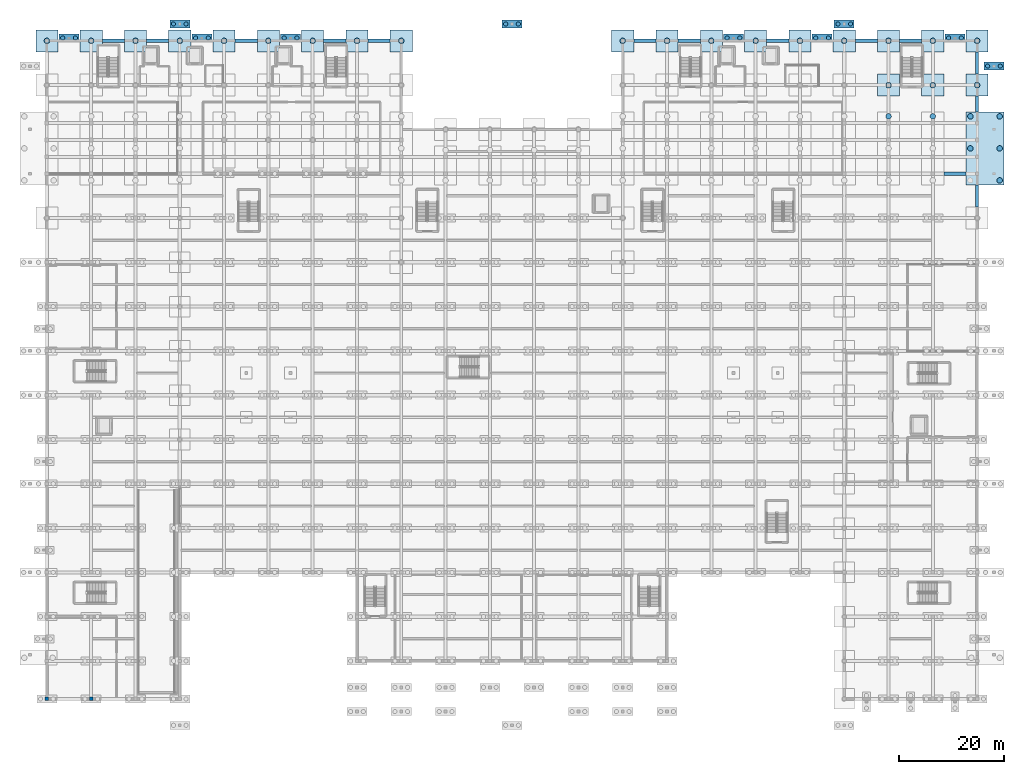
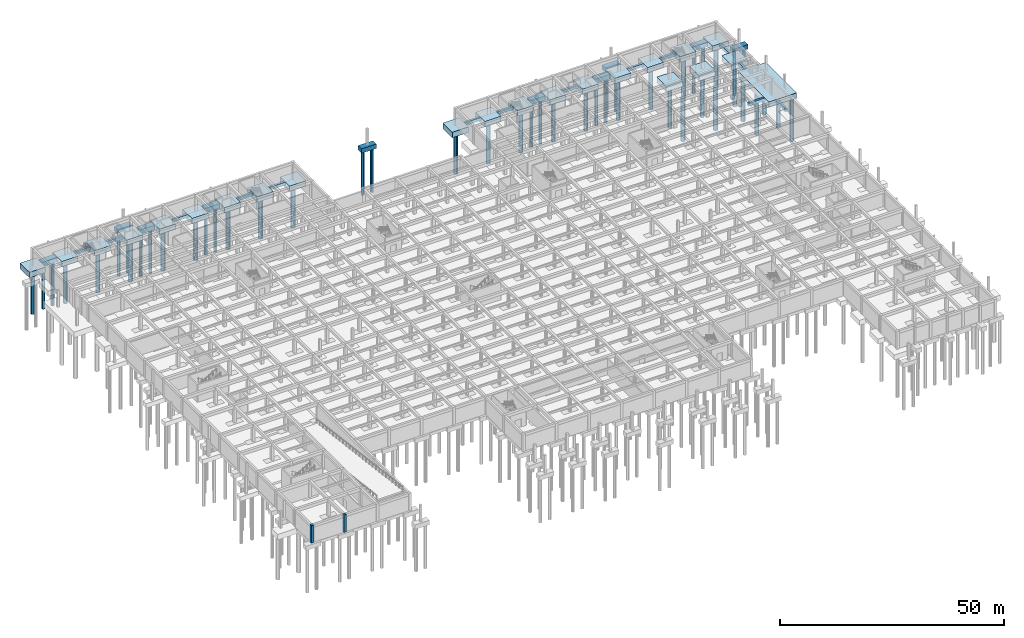
# One storey, part 7 of 51: 48 piles, 46 footings, 2 columns.
"""IFC4 building model written with IfcOpenShell, lengths in metres."""

from ifc_helpers import new_model, si_unit, direction, frame, origin, origin_2d, place, context, subcontext, project, spatial, rectangle, circle, extrude, material, material_profile, profile_set, type_object, element, save


model = new_model("IFC4")

# Units and contexts
model_context = context("Model", 3, precision=1e-05, world=origin(), true_north=direction((0.0, 1.0)))
body_context = subcontext(model_context, "Body", "Model", "MODEL_VIEW")
ifc_project = project(units=[si_unit("LENGTHUNIT", "METRE"), si_unit("AREAUNIT", "SQUARE_METRE"), si_unit("VOLUMEUNIT", "CUBIC_METRE"), si_unit("PLANEANGLEUNIT", "RADIAN"), si_unit("MASSUNIT", "GRAM", prefix="KILO")], contexts=[model_context])

# Site, building, storey
site_placement = place(None, origin())
site = spatial("IfcSite", under=ifc_project, at=site_placement, CompositionType="ELEMENT")
building_placement = place(site_placement, origin())
building = spatial("IfcBuilding", under=site, at=building_placement, Name="Varncliffe General Hospital", CompositionType="ELEMENT")
storey_placement = place(building_placement, frame((0.0, 0.0, -4.800048828125)))
storey = spatial("IfcBuildingStorey", under=building, at=storey_placement, Name="B1", CompositionType="ELEMENT", Elevation=-4.800048828125)

# Piles
ifc_material = material(Name="Concrete C40/50 (CSA A23.1 40 MPa)", Category="concrete")
ifc_material_profile_1 = material_profile(ifc_material, circle(Radius=0.39990234375, at=origin_2d()), Name="BORED PILE 800")
ifc_profile_set_1 = profile_set([ifc_material_profile_1], Name="Concrete C40/50 (CSA A23.1 40 MPa)")
pile_type_1 = type_object("IfcPileType", Name="Bored Caisson Pile P13 (BORED PILE 800)", PredefinedType="BORED", material=ifc_profile_set_1)
for number, where, z_axis, x_axis, name in (
    (1, (178.39990234375, 120.0, -1.050048828125), (0.0, 0.0, -1.0), (1.0, 0.0, 0.0), "B1 Bored Pile P13 (PC-B1-316-1)"),
    (2, (180.800048828125, 120.0, -1.050048828125), (0.0, 0.0, -1.0), (1.0, 0.0, 0.0), "B1 Bored Pile P13 (PC-B1-316-2)"),
    (3, (3.0, 125.35009765625, -1.050048828125), (0.0, 0.0, -1.0), (1.0, 0.0, 0.0), "B1 Bored Pile P13 (PC-B1-335-1)"),
    (4, (5.39990234375, 125.35009765625, -1.050048828125), (0.0, 0.0, -1.0), (1.0, 0.0, 0.0), "B1 Bored Pile P13 (PC-B1-335-2)"),
    (5, (28.199951171875, 125.35009765625, -1.050048828125), (0.0, 0.0, -1.0), (1.0, 0.0, 0.0), "B1 Bored Pile P13 (PC-B1-336-1)"),
    (6, (30.60009765625, 125.35009765625, -1.050048828125), (0.0, 0.0, -1.0), (1.0, 0.0, 0.0), "B1 Bored Pile P13 (PC-B1-336-2)"),
    (7, (45.0, 125.35009765625, -1.050048828125), (0.0, 0.0, -1.0), (1.0, 0.0, 0.0), "B1 Bored Pile P13 (PC-B1-337-1)"),
    (8, (47.39990234375, 125.35009765625, -1.050048828125), (0.0, 0.0, -1.0), (1.0, 0.0, 0.0), "B1 Bored Pile P13 (PC-B1-337-2)"),
    (9, (129.0, 125.35009765625, -1.050048828125), (0.0, 0.0, -1.0), (1.0, 0.0, 0.0), "B1 Bored Pile P13 (PC-B1-338-1)"),
    (10, (131.39990234375, 125.35009765625, -1.050048828125), (0.0, 0.0, -1.0), (1.0, 0.0, 0.0), "B1 Bored Pile P13 (PC-B1-338-2)"),
    (11, (145.800048828125, 125.35009765625, -1.050048828125), (0.0, 0.0, -1.0), (1.0, 0.0, 0.0), "B1 Bored Pile P13 (PC-B1-339-1)"),
    (12, (148.199951171875, 125.35009765625, -1.050048828125), (0.0, 0.0, -1.0), (1.0, 0.0, 0.0), "B1 Bored Pile P13 (PC-B1-339-2)"),
    (13, (171.0, 125.35009765625, -1.050048828125), (0.0, 0.0, -1.0), (1.0, 0.0, 0.0), "B1 Bored Pile P13 (PC-B1-340-1)"),
    (14, (173.39990234375, 125.35009765625, -1.050048828125), (0.0, 0.0, -1.0), (1.0, 0.0, 0.0), "B1 Bored Pile P13 (PC-B1-340-2)"),
    (15, (24.0, 128.0, -1.050048828125), (0.0, 0.0, -1.0), (1.0, 0.0, 0.0), "B1 Bored Pile P13 (PC-B1-341-1)"),
    (16, (26.39990234375, 128.0, -1.050048828125), (0.0, 0.0, -1.0), (1.0, 0.0, 0.0), "B1 Bored Pile P13 (PC-B1-341-2)"),
    (17, (87.0, 128.0, -1.050048828125), (0.0, 0.0, -1.0), (1.0, 0.0, 0.0), "B1 Bored Pile P13 (PC-B1-342-1)"),
    (18, (89.39990234375, 128.0, -1.050048828125), (0.0, 0.0, -1.0), (1.0, 0.0, 0.0), "B1 Bored Pile P13 (PC-B1-342-2)"),
    (19, (150.0, 128.0, -1.050048828125), (0.0, 0.0, -1.0), (1.0, 0.0, 0.0), "B1 Bored Pile P13 (PC-B1-343-1)"),
    (20, (152.39990234375, 128.0, -1.050048828125), (0.0, 0.0, -1.0), (1.0, 0.0, 0.0), "B1 Bored Pile P13 (PC-B1-343-2)"),
):
    element("IfcPile", number, at=place(storey_placement, frame(where, z_axis=z_axis, x_axis=x_axis)), inside=storey, type_object=pile_type_1, Name=name, PredefinedType="BORED", context=body_context, shape_type="SweptSolid", body=[
        extrude(circle(Radius=0.39990234375, at=origin_2d()), origin(), (0.0, 0.0, 1.0), 12.14990234375),
    ])
ifc_material_profile_2 = material_profile(ifc_material, circle(Radius=0.52490234375, at=origin_2d()), Name="BORED PILE 1050")
ifc_profile_set_2 = profile_set([ifc_material_profile_2], Name="Concrete C40/50 (CSA A23.1 40 MPa)")
pile_type_2 = type_object("IfcPileType", Name="Bored Caisson Pile P22 (BORED PILE 1050)", PredefinedType="BORED", material=ifc_profile_set_2)
for number, where, z_axis, x_axis, name in (
    (21, (159.60009765625, 110.47509765625, -1.349853515625), (0.0, 0.0, -1.0), (1.0, 0.0, 0.0), "B1 Bored Pile P22 (PC-B1-281-3)"),
    (22, (168.0, 110.47509765625, -1.349853515625), (0.0, 0.0, -1.0), (1.0, 0.0, 0.0), "B1 Bored Pile P22 (PC-B1-282-3)"),
    (23, (175.125, 104.39990234375, -1.349853515625), (0.0, 0.0, -1.0), (1.0, 0.0, 0.0), "B1 Bored Pile P22 (PC-B1-283-2)"),
    (24, (175.125, 110.47509765625, -1.349853515625), (0.0, 0.0, -1.0), (1.0, 0.0, 0.0), "B1 Bored Pile P22 (PC-B1-283-3)"),
    (25, (180.675048828125, 98.324951171875, -1.349853515625), (0.0, 0.0, -1.0), (1.0, 0.0, 0.0), "B1 Bored Pile P22 (PC-B1-283-4)"),
    (26, (180.675048828125, 104.39990234375, -1.349853515625), (0.0, 0.0, -1.0), (1.0, 0.0, 0.0), "B1 Bored Pile P22 (PC-B1-283-5)"),
    (27, (180.675048828125, 110.47509765625, -1.349853515625), (0.0, 0.0, -1.0), (1.0, 0.0, 0.0), "B1 Bored Pile P22 (PC-B1-283-6)"),
    (28, (159.60009765625, 116.39990234375, -1.349853515625), (0.0, 0.0, -1.0), (1.0, 0.0, 0.0), "B1 Bored Pile P22 (PC-B1-312-1)"),
    (29, (168.0, 116.39990234375, -1.349853515625), (0.0, 0.0, -1.0), (1.0, 0.0, 0.0), "B1 Bored Pile P22 (PC-B1-313-1)"),
    (30, (176.39990234375, 116.39990234375, -1.349853515625), (0.0, 0.0, -1.0), (1.0, 0.0, 0.0), "B1 Bored Pile P22 (PC-B1-314-1)"),
    (31, (0.0, 124.800048828125, -1.349853515625), (0.0, 0.0, -1.0), (1.0, 0.0, 0.0), "B1 Bored Pile P22 (PC-B1-317-1)"),
    (32, (8.39990234375, 124.800048828125, -1.349853515625), (0.0, 0.0, -1.0), (1.0, 0.0, 0.0), "B1 Bored Pile P22 (PC-B1-318-1)"),
    (33, (16.800048828125, 124.800048828125, -1.349853515625), (0.0, 0.0, -1.0), (1.0, 0.0, 0.0), "B1 Bored Pile P22 (PC-B1-319-1)"),
    (34, (25.199951171875, 124.800048828125, -1.349853515625), (0.0, 0.0, -1.0), (1.0, 0.0, 0.0), "B1 Bored Pile P22 (PC-B1-320-1)"),
    (35, (33.60009765625, 124.800048828125, -1.349853515625), (0.0, 0.0, -1.0), (1.0, 0.0, 0.0), "B1 Bored Pile P22 (PC-B1-321-1)"),
    (36, (42.0, 124.800048828125, -1.349853515625), (0.0, 0.0, -1.0), (1.0, 0.0, 0.0), "B1 Bored Pile P22 (PC-B1-322-1)"),
    (37, (50.39990234375, 124.800048828125, -1.349853515625), (0.0, 0.0, -1.0), (1.0, 0.0, 0.0), "B1 Bored Pile P22 (PC-B1-323-1)"),
    (38, (58.800048828125, 124.800048828125, -1.349853515625), (0.0, 0.0, -1.0), (1.0, 0.0, 0.0), "B1 Bored Pile P22 (PC-B1-324-1)"),
    (39, (67.199951171875, 124.800048828125, -1.349853515625), (0.0, 0.0, -1.0), (1.0, 0.0, 0.0), "B1 Bored Pile P22 (PC-B1-325-1)"),
    (40, (109.199951171875, 124.800048828125, -1.349853515625), (0.0, 0.0, -1.0), (1.0, 0.0, 0.0), "B1 Bored Pile P22 (PC-B1-326-1)"),
    (41, (117.60009765625, 124.800048828125, -1.349853515625), (0.0, 0.0, -1.0), (1.0, 0.0, 0.0), "B1 Bored Pile P22 (PC-B1-327-1)"),
    (42, (126.0, 124.800048828125, -1.349853515625), (0.0, 0.0, -1.0), (1.0, 0.0, 0.0), "B1 Bored Pile P22 (PC-B1-328-1)"),
    (43, (134.39990234375, 124.800048828125, -1.349853515625), (0.0, 0.0, -1.0), (1.0, 0.0, 0.0), "B1 Bored Pile P22 (PC-B1-329-1)"),
    (44, (142.800048828125, 124.800048828125, -1.349853515625), (0.0, 0.0, -1.0), (1.0, 0.0, 0.0), "B1 Bored Pile P22 (PC-B1-330-1)"),
    (45, (151.199951171875, 124.800048828125, -1.349853515625), (0.0, 0.0, -1.0), (1.0, 0.0, 0.0), "B1 Bored Pile P22 (PC-B1-331-1)"),
    (46, (159.60009765625, 124.800048828125, -1.349853515625), (0.0, 0.0, -1.0), (1.0, 0.0, 0.0), "B1 Bored Pile P22 (PC-B1-332-1)"),
    (47, (168.0, 124.800048828125, -1.349853515625), (0.0, 0.0, -1.0), (1.0, 0.0, 0.0), "B1 Bored Pile P22 (PC-B1-333-1)"),
    (48, (176.39990234375, 124.800048828125, -1.349853515625), (0.0, 0.0, -1.0), (1.0, 0.0, 0.0), "B1 Bored Pile P22 (PC-B1-334-1)"),
):
    element("IfcPile", number, at=place(storey_placement, frame(where, z_axis=z_axis, x_axis=x_axis)), inside=storey, type_object=pile_type_2, Name=name, PredefinedType="BORED", context=body_context, shape_type="SweptSolid", body=[
        extrude(circle(Radius=0.52490234375, at=origin_2d()), origin(), (0.0, 0.0, 1.0), 11.85009765625),
    ])

# Footings
footing_type_1 = type_object("IfcFootingType", Name="Pile Cap PC17 (3800x1500x1200)", PredefinedType="PILE_CAP", material=ifc_material)
for number, where, z_axis, x_axis, name in (
    (49, (179.60009765625, 120.0, -1.19970703125), (0.0, 0.0, 1.0), (1.0, 0.0, 0.0), "B1 Pile Cap PC17 #316"),
    (50, (4.199951171875, 125.35009765625, -1.19970703125), (0.0, 0.0, 1.0), (1.0, 0.0, 0.0), "B1 Pile Cap PC17 #335"),
    (51, (29.39990234375, 125.35009765625, -1.19970703125), (0.0, 0.0, 1.0), (1.0, 0.0, 0.0), "B1 Pile Cap PC17 #336"),
    (52, (46.199951171875, 125.35009765625, -1.19970703125), (0.0, 0.0, 1.0), (1.0, 0.0, 0.0), "B1 Pile Cap PC17 #337"),
    (53, (130.199951171875, 125.35009765625, -1.19970703125), (0.0, 0.0, 1.0), (1.0, 0.0, 0.0), "B1 Pile Cap PC17 #338"),
    (54, (147.0, 125.35009765625, -1.19970703125), (0.0, 0.0, 1.0), (1.0, 0.0, 0.0), "B1 Pile Cap PC17 #339"),
    (55, (172.199951171875, 125.35009765625, -1.19970703125), (0.0, 0.0, 1.0), (1.0, 0.0, 0.0), "B1 Pile Cap PC17 #340"),
    (56, (25.199951171875, 128.0, -1.19970703125), (0.0, 0.0, 1.0), (1.0, 0.0, 0.0), "B1 Pile Cap PC17 #341"),
    (57, (88.199951171875, 128.0, -1.19970703125), (0.0, 0.0, 1.0), (1.0, 0.0, 0.0), "B1 Pile Cap PC17 #342"),
    (58, (151.199951171875, 128.0, -1.19970703125), (0.0, 0.0, 1.0), (1.0, 0.0, 0.0), "B1 Pile Cap PC17 #343"),
):
    element("IfcFooting", number, at=place(storey_placement, frame(where, z_axis=z_axis, x_axis=x_axis)), inside=storey, type_object=footing_type_1, Name=name, PredefinedType="PILE_CAP", context=body_context, shape_type="SweptSolid", body=[
        extrude(rectangle(XDim=3.800048828125, YDim=1.5, at=origin_2d()), origin(), (0.0, 0.0, 1.0), 1.199951171875),
    ])
footing_type_2 = type_object("IfcFootingType", Name="Pile Cap PC61 (13800x7200x1500)", PredefinedType="PILE_CAP", material=ifc_material)
footing_1_placement = place(storey_placement, frame((177.89990234375, 104.39990234375, -1.5), z_axis=(0.0, 0.0, 1.0), x_axis=(1.0, 0.0, 0.0)))
element("IfcFooting", 59, at=footing_1_placement, inside=storey, type_object=footing_type_2, Name="B1 Pile Cap PC61 #283", PredefinedType="PILE_CAP", context=body_context, shape_type="SweptSolid", body=[
    extrude(rectangle(XDim=7.199951171875, YDim=13.800048828125, at=origin_2d()), origin(), (0.0, 0.0, 1.0), 1.5),
])
footing_type_3 = type_object("IfcFootingType", Name="Pile Cap PC67 (4200x4200x1500)", PredefinedType="PILE_CAP", material=ifc_material)
for number, where, z_axis, x_axis, name in (
    (60, (159.60009765625, 116.39990234375, -1.5), (0.0, 0.0, 1.0), (1.0, 0.0, 0.0), "B1 Pile Cap PC67 #312"),
    (61, (168.0, 116.39990234375, -1.5), (0.0, 0.0, 1.0), (1.0, 0.0, 0.0), "B1 Pile Cap PC67 #313"),
    (62, (176.39990234375, 116.39990234375, -1.5), (0.0, 0.0, 1.0), (1.0, 0.0, 0.0), "B1 Pile Cap PC67 #314"),
    (63, (0.0, 124.800048828125, -1.5), (0.0, 0.0, 1.0), (1.0, 0.0, 0.0), "B1 Pile Cap PC67 #317"),
    (64, (8.39990234375, 124.800048828125, -1.5), (0.0, 0.0, 1.0), (1.0, 0.0, 0.0), "B1 Pile Cap PC67 #318"),
    (65, (16.800048828125, 124.800048828125, -1.5), (0.0, 0.0, 1.0), (1.0, 0.0, 0.0), "B1 Pile Cap PC67 #319"),
    (66, (25.199951171875, 124.800048828125, -1.5), (0.0, 0.0, 1.0), (1.0, 0.0, 0.0), "B1 Pile Cap PC67 #320"),
    (67, (33.60009765625, 124.800048828125, -1.5), (0.0, 0.0, 1.0), (1.0, 0.0, 0.0), "B1 Pile Cap PC67 #321"),
    (68, (42.0, 124.800048828125, -1.5), (0.0, 0.0, 1.0), (1.0, 0.0, 0.0), "B1 Pile Cap PC67 #322"),
    (69, (50.39990234375, 124.800048828125, -1.5), (0.0, 0.0, 1.0), (1.0, 0.0, 0.0), "B1 Pile Cap PC67 #323"),
    (70, (58.800048828125, 124.800048828125, -1.5), (0.0, 0.0, 1.0), (1.0, 0.0, 0.0), "B1 Pile Cap PC67 #324"),
    (71, (67.199951171875, 124.800048828125, -1.5), (0.0, 0.0, 1.0), (1.0, 0.0, 0.0), "B1 Pile Cap PC67 #325"),
    (72, (109.199951171875, 124.800048828125, -1.5), (0.0, 0.0, 1.0), (1.0, 0.0, 0.0), "B1 Pile Cap PC67 #326"),
    (73, (117.60009765625, 124.800048828125, -1.5), (0.0, 0.0, 1.0), (1.0, 0.0, 0.0), "B1 Pile Cap PC67 #327"),
    (74, (126.0, 124.800048828125, -1.5), (0.0, 0.0, 1.0), (1.0, 0.0, 0.0), "B1 Pile Cap PC67 #328"),
    (75, (134.39990234375, 124.800048828125, -1.5), (0.0, 0.0, 1.0), (1.0, 0.0, 0.0), "B1 Pile Cap PC67 #329"),
    (76, (142.800048828125, 124.800048828125, -1.5), (0.0, 0.0, 1.0), (1.0, 0.0, 0.0), "B1 Pile Cap PC67 #330"),
    (77, (151.199951171875, 124.800048828125, -1.5), (0.0, 0.0, 1.0), (1.0, 0.0, 0.0), "B1 Pile Cap PC67 #331"),
    (78, (159.60009765625, 124.800048828125, -1.5), (0.0, 0.0, 1.0), (1.0, 0.0, 0.0), "B1 Pile Cap PC67 #332"),
    (79, (168.0, 124.800048828125, -1.5), (0.0, 0.0, 1.0), (1.0, 0.0, 0.0), "B1 Pile Cap PC67 #333"),
    (80, (176.39990234375, 124.800048828125, -1.5), (0.0, 0.0, 1.0), (1.0, 0.0, 0.0), "B1 Pile Cap PC67 #334"),
):
    element("IfcFooting", number, at=place(storey_placement, frame(where, z_axis=z_axis, x_axis=x_axis)), inside=storey, type_object=footing_type_3, Name=name, PredefinedType="PILE_CAP", context=body_context, shape_type="SweptSolid", body=[
        extrude(rectangle(XDim=4.199951171875, YDim=4.199951171875, at=origin_2d()), origin(), (0.0, 0.0, 1.0), 1.5),
    ])
footing_type_4 = type_object("IfcFootingType", Name="Seismic Grade Tie Beam FB69 (600x800)", PredefinedType="FOOTING_BEAM", material=ifc_material)
for number, where, z_axis, x_axis, name in (
    (81, (172.199951171875, 99.60009765625, -0.7998046875), (0.0, 0.0, 1.0), (1.0, 0.0, 0.0), "B1 Seismic Footing Tie Beam FB69-93"),
    (82, (12.60009765625, 124.800048828125, -0.7998046875), (0.0, 0.0, 1.0), (1.0, 0.0, 0.0), "B1 Seismic Footing Tie Beam FB69-94"),
    (83, (21.0, 124.800048828125, -0.7998046875), (0.0, 0.0, 1.0), (1.0, 0.0, 0.0), "B1 Seismic Footing Tie Beam FB69-95"),
    (84, (37.800048828125, 124.800048828125, -0.7998046875), (0.0, 0.0, 1.0), (1.0, 0.0, 0.0), "B1 Seismic Footing Tie Beam FB69-96"),
    (85, (54.60009765625, 124.800048828125, -0.7998046875), (0.0, 0.0, 1.0), (1.0, 0.0, 0.0), "B1 Seismic Footing Tie Beam FB69-97"),
    (86, (63.0, 124.800048828125, -0.7998046875), (0.0, 0.0, 1.0), (1.0, 0.0, 0.0), "B1 Seismic Footing Tie Beam FB69-98"),
    (87, (113.39990234375, 124.800048828125, -0.7998046875), (0.0, 0.0, 1.0), (1.0, 0.0, 0.0), "B1 Seismic Footing Tie Beam FB69-99"),
    (88, (121.800048828125, 124.800048828125, -0.7998046875), (0.0, 0.0, 1.0), (1.0, 0.0, 0.0), "B1 Seismic Footing Tie Beam FB69-100"),
    (89, (138.60009765625, 124.800048828125, -0.7998046875), (0.0, 0.0, 1.0), (1.0, 0.0, 0.0), "B1 Seismic Footing Tie Beam FB69-101"),
    (90, (155.39990234375, 124.800048828125, -0.7998046875), (0.0, 0.0, 1.0), (1.0, 0.0, 0.0), "B1 Seismic Footing Tie Beam FB69-102"),
    (91, (163.800048828125, 124.800048828125, -0.7998046875), (0.0, 0.0, 1.0), (1.0, 0.0, 0.0), "B1 Seismic Footing Tie Beam FB69-103"),
):
    element("IfcFooting", number, at=place(storey_placement, frame(where, z_axis=z_axis, x_axis=x_axis)), inside=storey, type_object=footing_type_4, Name=name, PredefinedType="FOOTING_BEAM", context=body_context, shape_type="SweptSolid", body=[
        extrude(rectangle(XDim=4.199951171875, YDim=0.60009765625, at=origin_2d()), origin(), (0.0, 0.0, 1.0), 0.800048828125),
    ])
footing_2_placement = place(storey_placement, frame((176.39990234375, 95.39990234375, -0.7998046875), z_axis=(0.0, 0.0, 1.0), x_axis=(1.0, 0.0, 0.0)))
element("IfcFooting", 92, at=footing_2_placement, inside=storey, type_object=footing_type_4, Name="B1 Seismic Footing Tie Beam FB69-191", PredefinedType="FOOTING_BEAM", context=body_context, shape_type="SweptSolid", body=[
    extrude(rectangle(XDim=0.60009765625, YDim=4.199951171875, at=origin_2d()), origin(), (0.0, 0.0, 1.0), 0.800048828125),
])
footing_3_placement = place(storey_placement, frame((176.39990234375, 112.800048828125, -0.7998046875), z_axis=(0.0, 0.0, 1.0), x_axis=(1.0, 0.0, 0.0)))
element("IfcFooting", 93, at=footing_3_placement, inside=storey, type_object=footing_type_4, Name="B1 Seismic Footing Tie Beam FB69-192", PredefinedType="FOOTING_BEAM", context=body_context, shape_type="SweptSolid", body=[
    extrude(rectangle(XDim=0.60009765625, YDim=3.0, at=origin_2d()), origin(), (0.0, 0.0, 1.0), 0.800048828125),
])
footing_4_placement = place(storey_placement, frame((176.39990234375, 120.60009765625, -0.7998046875), z_axis=(0.0, 0.0, 1.0), x_axis=(1.0, 0.0, 0.0)))
element("IfcFooting", 94, at=footing_4_placement, inside=storey, type_object=footing_type_4, Name="B1 Seismic Footing Tie Beam FB69-193", PredefinedType="FOOTING_BEAM", context=body_context, shape_type="SweptSolid", body=[
    extrude(rectangle(XDim=0.60009765625, YDim=4.199951171875, at=origin_2d()), origin(), (0.0, 0.0, 1.0), 0.800048828125),
])

# Columns
ifc_material_profile_3 = material_profile(ifc_material, rectangle(XDim=0.64990234375, YDim=0.64990234375, at=origin_2d()), Name="RC 650x650")
ifc_profile_set_3 = profile_set([ifc_material_profile_3], Name="Concrete C40/50 (CSA A23.1 40 MPa)")
column_type = type_object("IfcColumnType", Name="Column C21 (Ext RC 650x650)", PredefinedType="COLUMN", material=ifc_profile_set_3)
for number, where, z_axis, x_axis, name in (
    (95, (0.0, 0.0, 0.0), (0.0, 0.0, 1.0), (1.0, 0.0, 0.0), "B1 Column C21"),
    (96, (8.39990234375, 0.0, 0.0), (0.0, 0.0, 1.0), (1.0, 0.0, 0.0), "B1 Column C21"),
):
    element("IfcColumn", number, at=place(storey_placement, frame(where, z_axis=z_axis, x_axis=x_axis)), inside=storey, type_object=column_type, Name=name, PredefinedType="COLUMN", context=body_context, shape_type="SweptSolid", body=[
        extrude(rectangle(XDim=0.64990234375, YDim=0.64990234375, at=origin_2d()), origin(), (0.0, 0.0, 1.0), 4.800048828125),
    ])

save(model, "model.ifc")
